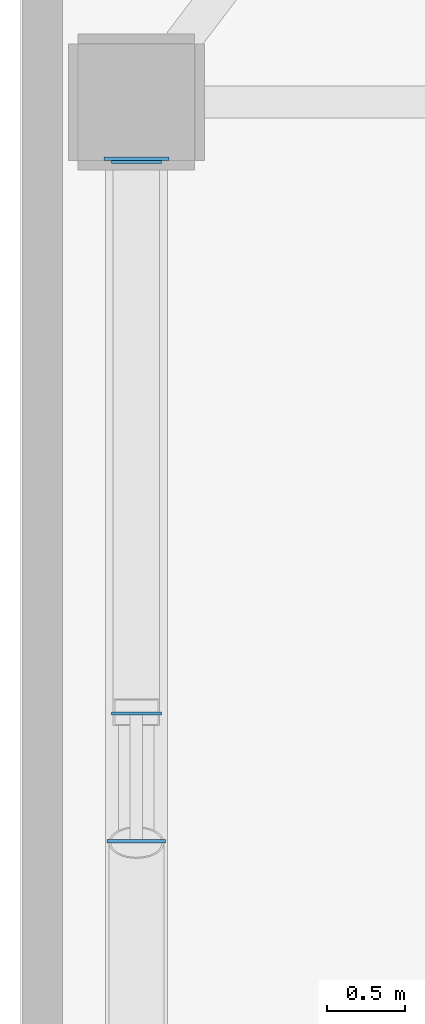
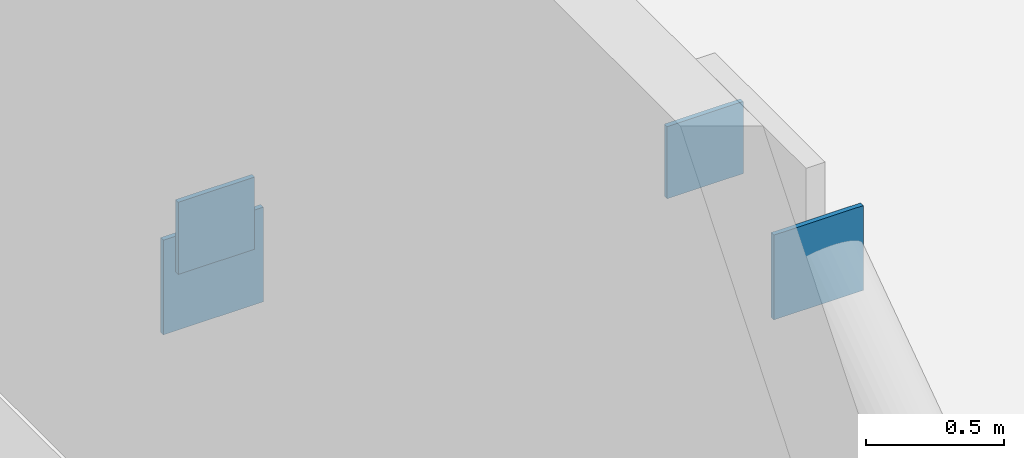
# One storey, part 5 of 13: 4 plates.
"""IFC4 building model written with IfcOpenShell, lengths in metres."""

from ifc_helpers import new_model, si_unit, direction, frame, origin, origin_2d, place, context, subcontext, project, spatial, rectangle, extrude, material, layer, layer_set, type_object, element, save


model = new_model("IFC4")

# Units and contexts
model_context = context("Model", 3, precision=1e-05, world=origin(), true_north=direction((0.0, 1.0)))
body_context = subcontext(model_context, "Body", "Model", "MODEL_VIEW")
ifc_project = project(units=[si_unit("LENGTHUNIT", "METRE"), si_unit("AREAUNIT", "SQUARE_METRE"), si_unit("VOLUMEUNIT", "CUBIC_METRE"), si_unit("PLANEANGLEUNIT", "RADIAN"), si_unit("MASSUNIT", "GRAM", prefix="KILO")], contexts=[model_context])

# Site, building, storey
site_placement = place(None, origin())
site = spatial("IfcSite", under=ifc_project, at=site_placement, CompositionType="ELEMENT")
building_placement = place(site_placement, origin())
building = spatial("IfcBuilding", under=site, at=building_placement, Name="Solanera Arch Residences", CompositionType="ELEMENT")
storey_placement = place(building_placement, frame((0.0, 0.0, 257.840087890625)))
storey = spatial("IfcBuildingStorey", under=building, at=storey_placement, Name="L75", CompositionType="ELEMENT", Elevation=257.840087890625)

# Plates
ifc_material = material(Name="Steel S355 (ASTM A992 / A572 Grade 50)", Category="steel")
ifc_layer = layer(ifc_material, 0.02001953125)
ifc_layer_set = layer_set([ifc_layer], Name="Steel S355 (ASTM A992 / A572 Grade 50)")
plate_type = type_object("IfcPlateType", Name="End Cap Plate EC-20", PredefinedType="USERDEFINED", material=ifc_layer_set)
plate_1_placement = place(storey_placement, frame((5.050048828125, 39.034912109375, 0.239990234375), z_axis=(0.0, 0.0, 1.0), x_axis=(0.0, 1.0, 0.0)))
element("IfcPlate", 1, at=plate_1_placement, inside=storey, type_object=plate_type, Name="Hollow Section End Cap 248", ObjectType="STIFFENER", PredefinedType="USERDEFINED", context=body_context, shape_type="SweptSolid", body=[
    extrude(rectangle(XDim=0.02001953125, YDim=0.419921875, at=origin_2d()), origin(), (0.0, 0.0, 1.0), 0.419921875),
])
plate_2_placement = place(storey_placement, frame((5.050048828125, 34.637939453125, 2.96484375), z_axis=(0.0, 0.0, 1.0), x_axis=(0.0, 1.0, 0.0)))
element("IfcPlate", 2, at=plate_2_placement, inside=storey, type_object=plate_type, Name="Hollow Section End Cap 250", ObjectType="STIFFENER", PredefinedType="USERDEFINED", context=body_context, shape_type="SweptSolid", body=[
    extrude(rectangle(XDim=0.02001953125, YDim=0.3759765625, at=origin_2d()), origin(), (0.0, 0.0, 1.0), 0.3759765625),
])
for number, where, z_axis, x_axis, name in (
    (3, (5.050048828125, 39.012939453125, 0.50390625), (0.0, 0.0, 1.0), (0.0, 1.0, 0.0), "Hollow Section End Cap 251"),
    (4, (5.050048828125, 35.4619140625, 2.99267578125), (0.0, 0.0, 1.0), (0.0, -1.0, 0.0), "Hollow Section End Cap 252"),
):
    element("IfcPlate", number, at=place(storey_placement, frame(where, z_axis=z_axis, x_axis=x_axis)), inside=storey, type_object=plate_type, Name=name, ObjectType="STIFFENER", PredefinedType="USERDEFINED", context=body_context, shape_type="SweptSolid", body=[
        extrude(rectangle(XDim=0.02001953125, YDim=0.320068359375, at=origin_2d()), origin(), (0.0, 0.0, 1.0), 0.320068359375),
    ])

save(model, "model.ifc")
